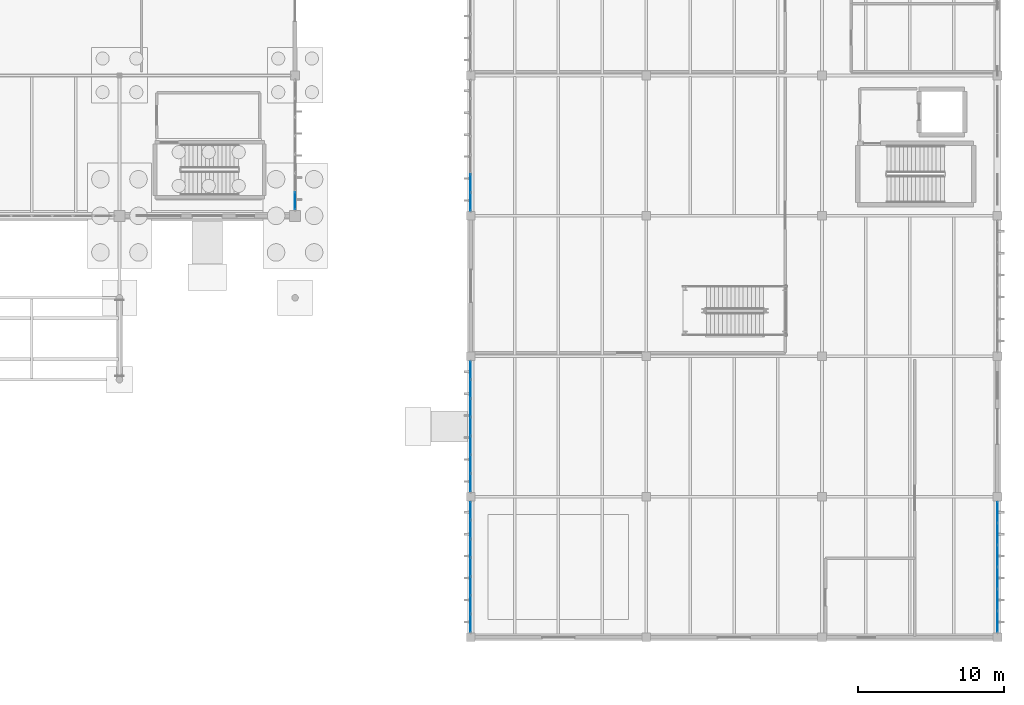
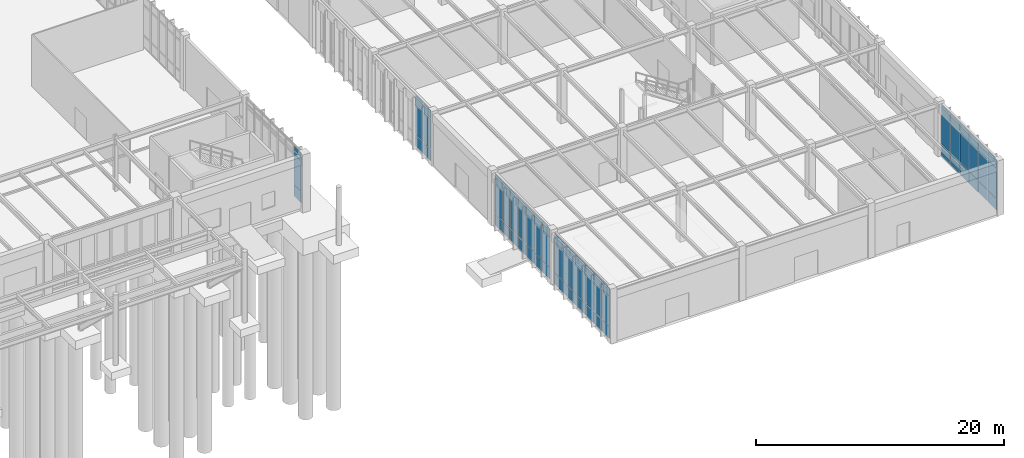
# One storey, part 140 of 188: 69 plates, 5 elements without a shape of their own.
"""IFC4 building model written with IfcOpenShell, lengths in metres."""

from ifc_helpers import new_model, si_unit, direction, frame, origin, origin_2d, place, context, subcontext, project, spatial, rectangle, extrude, material, layer, layer_set, type_object, element, aggregate, save


model = new_model("IFC4")

# Units and contexts
model_context = context("Model", 3, precision=1e-05, world=origin(), true_north=direction((0.0, 1.0)))
body_context = subcontext(model_context, "Body", "Model", "MODEL_VIEW")
ifc_project = project(units=[si_unit("LENGTHUNIT", "METRE"), si_unit("AREAUNIT", "SQUARE_METRE"), si_unit("VOLUMEUNIT", "CUBIC_METRE"), si_unit("PLANEANGLEUNIT", "RADIAN"), si_unit("MASSUNIT", "GRAM", prefix="KILO")], contexts=[model_context])

# Site, building, storey
site_placement = place(None, origin())
site = spatial("IfcSite", under=ifc_project, at=site_placement, CompositionType="ELEMENT")
building_placement = place(site_placement, origin())
building = spatial("IfcBuilding", under=site, at=building_placement, Name="Pandanus Reach Market Hall", CompositionType="ELEMENT")
storey_placement = place(building_placement, origin())
storey = spatial("IfcBuildingStorey", under=building, at=storey_placement, Name="L00", CompositionType="ELEMENT", Elevation=0.0)

# Curtain wall, plates
ifc_material_1 = material(Name="Bronze anodised aluminium and low-E glass", Category="aluminium")
ifc_layer_1 = layer(ifc_material_1, 0.159912109375, Name="CW-25")
ifc_layer_set_1 = layer_set([ifc_layer_1], Name="Bronze anodised aluminium and low-E glass")
curtain_wall_type_1 = type_object("IfcCurtainWallType", Name="CW-25", PredefinedType="NOTDEFINED", material=ifc_layer_set_1)
curtain_wall_1_placement = place(storey_placement, origin())
curtain_wall_1 = element("IfcCurtainWall", 1, at=curtain_wall_1_placement, inside=storey, type_object=curtain_wall_type_1, Name="Glazed curtain wall CW-25 CW-0070", PredefinedType="NOTDEFINED")
ifc_material_2 = material(Name="Solar-control double glazing", Category="glass")
ifc_layer_2 = layer(ifc_material_2, 0.028076171875, Name="CW-P1")
ifc_layer_set_2 = layer_set([ifc_layer_2], Name="Solar-control double glazing")
plate_type_1 = type_object("IfcPlateType", Name="CW-P1", PredefinedType="CURTAIN_PANEL", material=ifc_layer_set_2)
plate_1_placement = place(storey_placement, frame((180.0, 1.066162109375, 0.06494140625), z_axis=(0.0, 0.0, 1.0), x_axis=(0.0, 1.0, 0.0)))
plate_1 = element("IfcPlate", 2, at=plate_1_placement, type_object=plate_type_1, Name="CW-25 panel 1.1", PredefinedType="CURTAIN_PANEL", context=body_context, shape_type="SweptSolid", body=[
    extrude(rectangle(XDim=1.402587890625, YDim=0.028076171875, at=origin_2d()), origin(), (0.0, 0.0, 1.0), 1.1025390625),
])
plate_2_placement = place(storey_placement, frame((180.0, 1.066162109375, 1.232421875), z_axis=(0.0, 0.0, 1.0), x_axis=(0.0, 1.0, 0.0)))
plate_2 = element("IfcPlate", 3, at=plate_2_placement, type_object=plate_type_1, Name="CW-25 panel 1.2", PredefinedType="CURTAIN_PANEL", context=body_context, shape_type="SweptSolid", body=[
    extrude(rectangle(XDim=1.402587890625, YDim=0.028076171875, at=origin_2d()), origin(), (0.0, 0.0, 1.0), 2.93505859375),
])
plate_3_placement = place(storey_placement, frame((180.0, 1.066162109375, 4.232421875), z_axis=(0.0, 0.0, 1.0), x_axis=(0.0, 1.0, 0.0)))
plate_3 = element("IfcPlate", 4, at=plate_3_placement, type_object=plate_type_1, Name="CW-25 panel 1.3", PredefinedType="CURTAIN_PANEL", context=body_context, shape_type="SweptSolid", body=[
    extrude(rectangle(XDim=1.402587890625, YDim=0.028076171875, at=origin_2d()), origin(), (0.0, 0.0, 1.0), 0.802490234375),
])
plate_4_placement = place(storey_placement, frame((180.0, 2.550048828125, 0.06494140625), z_axis=(0.0, 0.0, 1.0), x_axis=(0.0, 1.0, 0.0)))
plate_4 = element("IfcPlate", 5, at=plate_4_placement, type_object=plate_type_1, Name="CW-25 panel 2.1", PredefinedType="CURTAIN_PANEL", context=body_context, shape_type="SweptSolid", body=[
    extrude(rectangle(XDim=1.43505859375, YDim=0.028076171875, at=origin_2d()), origin(), (0.0, 0.0, 1.0), 1.1025390625),
])
plate_5_placement = place(storey_placement, frame((180.0, 2.550048828125, 1.232421875), z_axis=(0.0, 0.0, 1.0), x_axis=(0.0, 1.0, 0.0)))
plate_5 = element("IfcPlate", 6, at=plate_5_placement, type_object=plate_type_1, Name="CW-25 panel 2.2", PredefinedType="CURTAIN_PANEL", context=body_context, shape_type="SweptSolid", body=[
    extrude(rectangle(XDim=1.43505859375, YDim=0.028076171875, at=origin_2d()), origin(), (0.0, 0.0, 1.0), 2.93505859375),
])
plate_6_placement = place(storey_placement, frame((180.0, 2.550048828125, 4.232421875), z_axis=(0.0, 0.0, 1.0), x_axis=(0.0, 1.0, 0.0)))
plate_6 = element("IfcPlate", 7, at=plate_6_placement, type_object=plate_type_1, Name="CW-25 panel 2.3", PredefinedType="CURTAIN_PANEL", context=body_context, shape_type="SweptSolid", body=[
    extrude(rectangle(XDim=1.43505859375, YDim=0.028076171875, at=origin_2d()), origin(), (0.0, 0.0, 1.0), 0.802490234375),
])
plate_7_placement = place(storey_placement, frame((180.0, 4.050048828125, 0.06494140625), z_axis=(0.0, 0.0, 1.0), x_axis=(0.0, 1.0, 0.0)))
plate_7 = element("IfcPlate", 8, at=plate_7_placement, type_object=plate_type_1, Name="CW-25 panel 3.1", PredefinedType="CURTAIN_PANEL", context=body_context, shape_type="SweptSolid", body=[
    extrude(rectangle(XDim=1.43505859375, YDim=0.028076171875, at=origin_2d()), origin(), (0.0, 0.0, 1.0), 1.1025390625),
])
plate_8_placement = place(storey_placement, frame((180.0, 4.050048828125, 1.232421875), z_axis=(0.0, 0.0, 1.0), x_axis=(0.0, 1.0, 0.0)))
plate_8 = element("IfcPlate", 9, at=plate_8_placement, type_object=plate_type_1, Name="CW-25 panel 3.2", PredefinedType="CURTAIN_PANEL", context=body_context, shape_type="SweptSolid", body=[
    extrude(rectangle(XDim=1.43505859375, YDim=0.028076171875, at=origin_2d()), origin(), (0.0, 0.0, 1.0), 2.93505859375),
])
plate_9_placement = place(storey_placement, frame((180.0, 4.050048828125, 4.232421875), z_axis=(0.0, 0.0, 1.0), x_axis=(0.0, 1.0, 0.0)))
plate_9 = element("IfcPlate", 10, at=plate_9_placement, type_object=plate_type_1, Name="CW-25 panel 3.3", PredefinedType="CURTAIN_PANEL", context=body_context, shape_type="SweptSolid", body=[
    extrude(rectangle(XDim=1.43505859375, YDim=0.028076171875, at=origin_2d()), origin(), (0.0, 0.0, 1.0), 0.802490234375),
])
plate_10_placement = place(storey_placement, frame((180.0, 5.550048828125, 0.06494140625), z_axis=(0.0, 0.0, 1.0), x_axis=(0.0, 1.0, 0.0)))
plate_10 = element("IfcPlate", 11, at=plate_10_placement, type_object=plate_type_1, Name="CW-25 panel 4.1", PredefinedType="CURTAIN_PANEL", context=body_context, shape_type="SweptSolid", body=[
    extrude(rectangle(XDim=1.43505859375, YDim=0.028076171875, at=origin_2d()), origin(), (0.0, 0.0, 1.0), 1.1025390625),
])
plate_11_placement = place(storey_placement, frame((180.0, 5.550048828125, 1.232421875), z_axis=(0.0, 0.0, 1.0), x_axis=(0.0, 1.0, 0.0)))
plate_11 = element("IfcPlate", 12, at=plate_11_placement, type_object=plate_type_1, Name="CW-25 panel 4.2", PredefinedType="CURTAIN_PANEL", context=body_context, shape_type="SweptSolid", body=[
    extrude(rectangle(XDim=1.43505859375, YDim=0.028076171875, at=origin_2d()), origin(), (0.0, 0.0, 1.0), 2.93505859375),
])
plate_12_placement = place(storey_placement, frame((180.0, 5.550048828125, 4.232421875), z_axis=(0.0, 0.0, 1.0), x_axis=(0.0, 1.0, 0.0)))
plate_12 = element("IfcPlate", 13, at=plate_12_placement, type_object=plate_type_1, Name="CW-25 panel 4.3", PredefinedType="CURTAIN_PANEL", context=body_context, shape_type="SweptSolid", body=[
    extrude(rectangle(XDim=1.43505859375, YDim=0.028076171875, at=origin_2d()), origin(), (0.0, 0.0, 1.0), 0.802490234375),
])
plate_13_placement = place(storey_placement, frame((180.0, 7.050048828125, 0.06494140625), z_axis=(0.0, 0.0, 1.0), x_axis=(0.0, 1.0, 0.0)))
plate_13 = element("IfcPlate", 14, at=plate_13_placement, type_object=plate_type_1, Name="CW-25 panel 5.1", PredefinedType="CURTAIN_PANEL", context=body_context, shape_type="SweptSolid", body=[
    extrude(rectangle(XDim=1.43505859375, YDim=0.028076171875, at=origin_2d()), origin(), (0.0, 0.0, 1.0), 1.1025390625),
])
plate_14_placement = place(storey_placement, frame((180.0, 7.050048828125, 1.232421875), z_axis=(0.0, 0.0, 1.0), x_axis=(0.0, 1.0, 0.0)))
plate_14 = element("IfcPlate", 15, at=plate_14_placement, type_object=plate_type_1, Name="CW-25 panel 5.2", PredefinedType="CURTAIN_PANEL", context=body_context, shape_type="SweptSolid", body=[
    extrude(rectangle(XDim=1.43505859375, YDim=0.028076171875, at=origin_2d()), origin(), (0.0, 0.0, 1.0), 2.93505859375),
])
plate_15_placement = place(storey_placement, frame((180.0, 7.050048828125, 4.232421875), z_axis=(0.0, 0.0, 1.0), x_axis=(0.0, 1.0, 0.0)))
plate_15 = element("IfcPlate", 16, at=plate_15_placement, type_object=plate_type_1, Name="CW-25 panel 5.3", PredefinedType="CURTAIN_PANEL", context=body_context, shape_type="SweptSolid", body=[
    extrude(rectangle(XDim=1.43505859375, YDim=0.028076171875, at=origin_2d()), origin(), (0.0, 0.0, 1.0), 0.802490234375),
])
plate_16_placement = place(storey_placement, frame((180.0, 8.53369140625, 0.06494140625), z_axis=(0.0, 0.0, 1.0), x_axis=(0.0, 1.0, 0.0)))
plate_16 = element("IfcPlate", 17, at=plate_16_placement, type_object=plate_type_1, Name="CW-25 panel 6.1", PredefinedType="CURTAIN_PANEL", context=body_context, shape_type="SweptSolid", body=[
    extrude(rectangle(XDim=1.402587890625, YDim=0.028076171875, at=origin_2d()), origin(), (0.0, 0.0, 1.0), 1.1025390625),
])
plate_17_placement = place(storey_placement, frame((180.0, 8.53369140625, 1.232421875), z_axis=(0.0, 0.0, 1.0), x_axis=(0.0, 1.0, 0.0)))
plate_17 = element("IfcPlate", 18, at=plate_17_placement, type_object=plate_type_1, Name="CW-25 panel 6.2", PredefinedType="CURTAIN_PANEL", context=body_context, shape_type="SweptSolid", body=[
    extrude(rectangle(XDim=1.402587890625, YDim=0.028076171875, at=origin_2d()), origin(), (0.0, 0.0, 1.0), 2.93505859375),
])
plate_18_placement = place(storey_placement, frame((180.0, 8.53369140625, 4.232421875), z_axis=(0.0, 0.0, 1.0), x_axis=(0.0, 1.0, 0.0)))
plate_18 = element("IfcPlate", 19, at=plate_18_placement, type_object=plate_type_1, Name="CW-25 panel 6.3", PredefinedType="CURTAIN_PANEL", context=body_context, shape_type="SweptSolid", body=[
    extrude(rectangle(XDim=1.402587890625, YDim=0.028076171875, at=origin_2d()), origin(), (0.0, 0.0, 1.0), 0.802490234375),
])
aggregate(curtain_wall_1, [plate_1, plate_2, plate_3, plate_4, plate_5, plate_6, plate_7, plate_8, plate_9, plate_10, plate_11, plate_12, plate_13, plate_14, plate_15, plate_16, plate_17, plate_18])

ifc_layer_3 = layer(ifc_material_1, 0.159912109375, Name="CW-26")
ifc_layer_set_3 = layer_set([ifc_layer_3], Name="Bronze anodised aluminium and low-E glass")
curtain_wall_type_2 = type_object("IfcCurtainWallType", Name="CW-26", PredefinedType="NOTDEFINED", material=ifc_layer_set_3)
curtain_wall_2_placement = place(storey_placement, origin())
curtain_wall_2 = element("IfcCurtainWall", 20, at=curtain_wall_2_placement, inside=storey, type_object=curtain_wall_type_2, Name="Glazed curtain wall CW-26 CW-0075", PredefinedType="NOTDEFINED")
plate_19_placement = place(storey_placement, frame((144.0, 0.959228515625, 0.06494140625), z_axis=(0.0, 0.0, 1.0), x_axis=(0.0, 1.0, 0.0)))
plate_19 = element("IfcPlate", 21, at=plate_19_placement, type_object=plate_type_1, Name="CW-26 panel 1.1", PredefinedType="CURTAIN_PANEL", context=body_context, shape_type="SweptSolid", body=[
    extrude(rectangle(XDim=1.188232421875, YDim=0.028076171875, at=origin_2d()), origin(), (0.0, 0.0, 1.0), 1.1025390625),
])
plate_20_placement = place(storey_placement, frame((144.0, 0.959228515625, 1.232421875), z_axis=(0.0, 0.0, 1.0), x_axis=(0.0, 1.0, 0.0)))
plate_20 = element("IfcPlate", 22, at=plate_20_placement, type_object=plate_type_1, Name="CW-26 panel 1.2", PredefinedType="CURTAIN_PANEL", context=body_context, shape_type="SweptSolid", body=[
    extrude(rectangle(XDim=1.188232421875, YDim=0.028076171875, at=origin_2d()), origin(), (0.0, 0.0, 1.0), 2.93505859375),
])
plate_21_placement = place(storey_placement, frame((144.0, 0.959228515625, 4.232421875), z_axis=(0.0, 0.0, 1.0), x_axis=(0.0, 1.0, 0.0)))
plate_21 = element("IfcPlate", 23, at=plate_21_placement, type_object=plate_type_1, Name="CW-26 panel 1.3", PredefinedType="CURTAIN_PANEL", context=body_context, shape_type="SweptSolid", body=[
    extrude(rectangle(XDim=1.188232421875, YDim=0.028076171875, at=origin_2d()), origin(), (0.0, 0.0, 1.0), 0.802490234375),
])
plate_22_placement = place(storey_placement, frame((144.0, 2.228515625, 0.06494140625), z_axis=(0.0, 0.0, 1.0), x_axis=(0.0, 1.0, 0.0)))
plate_22 = element("IfcPlate", 24, at=plate_22_placement, type_object=plate_type_1, Name="CW-26 panel 2.1", PredefinedType="CURTAIN_PANEL", context=body_context, shape_type="SweptSolid", body=[
    extrude(rectangle(XDim=1.220703125, YDim=0.028076171875, at=origin_2d()), origin(), (0.0, 0.0, 1.0), 1.1025390625),
])
plate_23_placement = place(storey_placement, frame((144.0, 2.228515625, 1.232421875), z_axis=(0.0, 0.0, 1.0), x_axis=(0.0, 1.0, 0.0)))
plate_23 = element("IfcPlate", 25, at=plate_23_placement, type_object=plate_type_1, Name="CW-26 panel 2.2", PredefinedType="CURTAIN_PANEL", context=body_context, shape_type="SweptSolid", body=[
    extrude(rectangle(XDim=1.220703125, YDim=0.028076171875, at=origin_2d()), origin(), (0.0, 0.0, 1.0), 2.93505859375),
])
plate_24_placement = place(storey_placement, frame((144.0, 2.228515625, 4.232421875), z_axis=(0.0, 0.0, 1.0), x_axis=(0.0, 1.0, 0.0)))
plate_24 = element("IfcPlate", 26, at=plate_24_placement, type_object=plate_type_1, Name="CW-26 panel 2.3", PredefinedType="CURTAIN_PANEL", context=body_context, shape_type="SweptSolid", body=[
    extrude(rectangle(XDim=1.220703125, YDim=0.028076171875, at=origin_2d()), origin(), (0.0, 0.0, 1.0), 0.802490234375),
])
plate_25_placement = place(storey_placement, frame((144.0, 3.514404296875, 0.06494140625), z_axis=(0.0, 0.0, 1.0), x_axis=(0.0, 1.0, 0.0)))
plate_25 = element("IfcPlate", 27, at=plate_25_placement, type_object=plate_type_1, Name="CW-26 panel 3.1", PredefinedType="CURTAIN_PANEL", context=body_context, shape_type="SweptSolid", body=[
    extrude(rectangle(XDim=1.220703125, YDim=0.028076171875, at=origin_2d()), origin(), (0.0, 0.0, 1.0), 1.1025390625),
])
plate_26_placement = place(storey_placement, frame((144.0, 3.514404296875, 1.232421875), z_axis=(0.0, 0.0, 1.0), x_axis=(0.0, 1.0, 0.0)))
plate_26 = element("IfcPlate", 28, at=plate_26_placement, type_object=plate_type_1, Name="CW-26 panel 3.2", PredefinedType="CURTAIN_PANEL", context=body_context, shape_type="SweptSolid", body=[
    extrude(rectangle(XDim=1.220703125, YDim=0.028076171875, at=origin_2d()), origin(), (0.0, 0.0, 1.0), 2.93505859375),
])
plate_27_placement = place(storey_placement, frame((144.0, 3.514404296875, 4.232421875), z_axis=(0.0, 0.0, 1.0), x_axis=(0.0, 1.0, 0.0)))
plate_27 = element("IfcPlate", 29, at=plate_27_placement, type_object=plate_type_1, Name="CW-26 panel 3.3", PredefinedType="CURTAIN_PANEL", context=body_context, shape_type="SweptSolid", body=[
    extrude(rectangle(XDim=1.220703125, YDim=0.028076171875, at=origin_2d()), origin(), (0.0, 0.0, 1.0), 0.802490234375),
])
plate_28_placement = place(storey_placement, frame((144.0, 4.800048828125, 0.06494140625), z_axis=(0.0, 0.0, 1.0), x_axis=(0.0, 1.0, 0.0)))
plate_28 = element("IfcPlate", 30, at=plate_28_placement, type_object=plate_type_1, Name="CW-26 panel 4.1", PredefinedType="CURTAIN_PANEL", context=body_context, shape_type="SweptSolid", body=[
    extrude(rectangle(XDim=1.220703125, YDim=0.028076171875, at=origin_2d()), origin(), (0.0, 0.0, 1.0), 1.1025390625),
])
plate_29_placement = place(storey_placement, frame((144.0, 4.800048828125, 1.232421875), z_axis=(0.0, 0.0, 1.0), x_axis=(0.0, 1.0, 0.0)))
plate_29 = element("IfcPlate", 31, at=plate_29_placement, type_object=plate_type_1, Name="CW-26 panel 4.2", PredefinedType="CURTAIN_PANEL", context=body_context, shape_type="SweptSolid", body=[
    extrude(rectangle(XDim=1.220703125, YDim=0.028076171875, at=origin_2d()), origin(), (0.0, 0.0, 1.0), 2.93505859375),
])
plate_30_placement = place(storey_placement, frame((144.0, 4.800048828125, 4.232421875), z_axis=(0.0, 0.0, 1.0), x_axis=(0.0, 1.0, 0.0)))
plate_30 = element("IfcPlate", 32, at=plate_30_placement, type_object=plate_type_1, Name="CW-26 panel 4.3", PredefinedType="CURTAIN_PANEL", context=body_context, shape_type="SweptSolid", body=[
    extrude(rectangle(XDim=1.220703125, YDim=0.028076171875, at=origin_2d()), origin(), (0.0, 0.0, 1.0), 0.802490234375),
])
plate_31_placement = place(storey_placement, frame((144.0, 6.085693359375, 0.06494140625), z_axis=(0.0, 0.0, 1.0), x_axis=(0.0, 1.0, 0.0)))
plate_31 = element("IfcPlate", 33, at=plate_31_placement, type_object=plate_type_1, Name="CW-26 panel 5.1", PredefinedType="CURTAIN_PANEL", context=body_context, shape_type="SweptSolid", body=[
    extrude(rectangle(XDim=1.220703125, YDim=0.028076171875, at=origin_2d()), origin(), (0.0, 0.0, 1.0), 1.1025390625),
])
plate_32_placement = place(storey_placement, frame((144.0, 6.085693359375, 1.232421875), z_axis=(0.0, 0.0, 1.0), x_axis=(0.0, 1.0, 0.0)))
plate_32 = element("IfcPlate", 34, at=plate_32_placement, type_object=plate_type_1, Name="CW-26 panel 5.2", PredefinedType="CURTAIN_PANEL", context=body_context, shape_type="SweptSolid", body=[
    extrude(rectangle(XDim=1.220703125, YDim=0.028076171875, at=origin_2d()), origin(), (0.0, 0.0, 1.0), 2.93505859375),
])
plate_33_placement = place(storey_placement, frame((144.0, 6.085693359375, 4.232421875), z_axis=(0.0, 0.0, 1.0), x_axis=(0.0, 1.0, 0.0)))
plate_33 = element("IfcPlate", 35, at=plate_33_placement, type_object=plate_type_1, Name="CW-26 panel 5.3", PredefinedType="CURTAIN_PANEL", context=body_context, shape_type="SweptSolid", body=[
    extrude(rectangle(XDim=1.220703125, YDim=0.028076171875, at=origin_2d()), origin(), (0.0, 0.0, 1.0), 0.802490234375),
])
plate_34_placement = place(storey_placement, frame((144.0, 7.371337890625, 0.06494140625), z_axis=(0.0, 0.0, 1.0), x_axis=(0.0, 1.0, 0.0)))
plate_34 = element("IfcPlate", 36, at=plate_34_placement, type_object=plate_type_1, Name="CW-26 panel 6.1", PredefinedType="CURTAIN_PANEL", context=body_context, shape_type="SweptSolid", body=[
    extrude(rectangle(XDim=1.220703125, YDim=0.028076171875, at=origin_2d()), origin(), (0.0, 0.0, 1.0), 1.1025390625),
])
plate_35_placement = place(storey_placement, frame((144.0, 7.371337890625, 1.232421875), z_axis=(0.0, 0.0, 1.0), x_axis=(0.0, 1.0, 0.0)))
plate_35 = element("IfcPlate", 37, at=plate_35_placement, type_object=plate_type_1, Name="CW-26 panel 6.2", PredefinedType="CURTAIN_PANEL", context=body_context, shape_type="SweptSolid", body=[
    extrude(rectangle(XDim=1.220703125, YDim=0.028076171875, at=origin_2d()), origin(), (0.0, 0.0, 1.0), 2.93505859375),
])
plate_36_placement = place(storey_placement, frame((144.0, 7.371337890625, 4.232421875), z_axis=(0.0, 0.0, 1.0), x_axis=(0.0, 1.0, 0.0)))
plate_36 = element("IfcPlate", 38, at=plate_36_placement, type_object=plate_type_1, Name="CW-26 panel 6.3", PredefinedType="CURTAIN_PANEL", context=body_context, shape_type="SweptSolid", body=[
    extrude(rectangle(XDim=1.220703125, YDim=0.028076171875, at=origin_2d()), origin(), (0.0, 0.0, 1.0), 0.802490234375),
])
plate_37_placement = place(storey_placement, frame((144.0, 8.640869140625, 0.06494140625), z_axis=(0.0, 0.0, 1.0), x_axis=(0.0, 1.0, 0.0)))
plate_37 = element("IfcPlate", 39, at=plate_37_placement, type_object=plate_type_1, Name="CW-26 panel 7.1", PredefinedType="CURTAIN_PANEL", context=body_context, shape_type="SweptSolid", body=[
    extrude(rectangle(XDim=1.188232421875, YDim=0.028076171875, at=origin_2d()), origin(), (0.0, 0.0, 1.0), 1.1025390625),
])
plate_38_placement = place(storey_placement, frame((144.0, 8.640869140625, 1.232421875), z_axis=(0.0, 0.0, 1.0), x_axis=(0.0, 1.0, 0.0)))
plate_38 = element("IfcPlate", 40, at=plate_38_placement, type_object=plate_type_1, Name="CW-26 panel 7.2", PredefinedType="CURTAIN_PANEL", context=body_context, shape_type="SweptSolid", body=[
    extrude(rectangle(XDim=1.188232421875, YDim=0.028076171875, at=origin_2d()), origin(), (0.0, 0.0, 1.0), 2.93505859375),
])
plate_39_placement = place(storey_placement, frame((144.0, 8.640869140625, 4.232421875), z_axis=(0.0, 0.0, 1.0), x_axis=(0.0, 1.0, 0.0)))
plate_39 = element("IfcPlate", 41, at=plate_39_placement, type_object=plate_type_1, Name="CW-26 panel 7.3", PredefinedType="CURTAIN_PANEL", context=body_context, shape_type="SweptSolid", body=[
    extrude(rectangle(XDim=1.188232421875, YDim=0.028076171875, at=origin_2d()), origin(), (0.0, 0.0, 1.0), 0.802490234375),
])
aggregate(curtain_wall_2, [plate_19, plate_20, plate_21, plate_22, plate_23, plate_24, plate_25, plate_26, plate_27, plate_28, plate_29, plate_30, plate_31, plate_32, plate_33, plate_34, plate_35, plate_36, plate_37, plate_38, plate_39])

curtain_wall_3_placement = place(storey_placement, origin())
curtain_wall_3 = element("IfcCurtainWall", 42, at=curtain_wall_3_placement, inside=storey, type_object=curtain_wall_type_2, Name="Glazed curtain wall CW-26 CW-0076", PredefinedType="NOTDEFINED")
plate_40_placement = place(storey_placement, frame((144.0, 10.55908203125, 0.06494140625), z_axis=(0.0, 0.0, 1.0), x_axis=(0.0, 1.0, 0.0)))
plate_40 = element("IfcPlate", 43, at=plate_40_placement, type_object=plate_type_1, Name="CW-26 panel 1.1", PredefinedType="CURTAIN_PANEL", context=body_context, shape_type="SweptSolid", body=[
    extrude(rectangle(XDim=1.188232421875, YDim=0.028076171875, at=origin_2d()), origin(), (0.0, 0.0, 1.0), 1.1025390625),
])
plate_41_placement = place(storey_placement, frame((144.0, 10.55908203125, 1.232421875), z_axis=(0.0, 0.0, 1.0), x_axis=(0.0, 1.0, 0.0)))
plate_41 = element("IfcPlate", 44, at=plate_41_placement, type_object=plate_type_1, Name="CW-26 panel 1.2", PredefinedType="CURTAIN_PANEL", context=body_context, shape_type="SweptSolid", body=[
    extrude(rectangle(XDim=1.188232421875, YDim=0.028076171875, at=origin_2d()), origin(), (0.0, 0.0, 1.0), 2.93505859375),
])
plate_42_placement = place(storey_placement, frame((144.0, 10.55908203125, 4.232421875), z_axis=(0.0, 0.0, 1.0), x_axis=(0.0, 1.0, 0.0)))
plate_42 = element("IfcPlate", 45, at=plate_42_placement, type_object=plate_type_1, Name="CW-26 panel 1.3", PredefinedType="CURTAIN_PANEL", context=body_context, shape_type="SweptSolid", body=[
    extrude(rectangle(XDim=1.188232421875, YDim=0.028076171875, at=origin_2d()), origin(), (0.0, 0.0, 1.0), 0.802490234375),
])
plate_43_placement = place(storey_placement, frame((144.0, 11.82861328125, 0.06494140625), z_axis=(0.0, 0.0, 1.0), x_axis=(0.0, 1.0, 0.0)))
plate_43 = element("IfcPlate", 46, at=plate_43_placement, type_object=plate_type_1, Name="CW-26 panel 2.1", PredefinedType="CURTAIN_PANEL", context=body_context, shape_type="SweptSolid", body=[
    extrude(rectangle(XDim=1.220703125, YDim=0.028076171875, at=origin_2d()), origin(), (0.0, 0.0, 1.0), 1.1025390625),
])
plate_44_placement = place(storey_placement, frame((144.0, 11.82861328125, 1.232421875), z_axis=(0.0, 0.0, 1.0), x_axis=(0.0, 1.0, 0.0)))
plate_44 = element("IfcPlate", 47, at=plate_44_placement, type_object=plate_type_1, Name="CW-26 panel 2.2", PredefinedType="CURTAIN_PANEL", context=body_context, shape_type="SweptSolid", body=[
    extrude(rectangle(XDim=1.220703125, YDim=0.028076171875, at=origin_2d()), origin(), (0.0, 0.0, 1.0), 2.93505859375),
])
plate_45_placement = place(storey_placement, frame((144.0, 11.82861328125, 4.232421875), z_axis=(0.0, 0.0, 1.0), x_axis=(0.0, 1.0, 0.0)))
plate_45 = element("IfcPlate", 48, at=plate_45_placement, type_object=plate_type_1, Name="CW-26 panel 2.3", PredefinedType="CURTAIN_PANEL", context=body_context, shape_type="SweptSolid", body=[
    extrude(rectangle(XDim=1.220703125, YDim=0.028076171875, at=origin_2d()), origin(), (0.0, 0.0, 1.0), 0.802490234375),
])
plate_46_placement = place(storey_placement, frame((144.0, 13.1142578125, 0.06494140625), z_axis=(0.0, 0.0, 1.0), x_axis=(0.0, 1.0, 0.0)))
plate_46 = element("IfcPlate", 49, at=plate_46_placement, type_object=plate_type_1, Name="CW-26 panel 3.1", PredefinedType="CURTAIN_PANEL", context=body_context, shape_type="SweptSolid", body=[
    extrude(rectangle(XDim=1.220703125, YDim=0.028076171875, at=origin_2d()), origin(), (0.0, 0.0, 1.0), 1.1025390625),
])
plate_47_placement = place(storey_placement, frame((144.0, 13.1142578125, 1.232421875), z_axis=(0.0, 0.0, 1.0), x_axis=(0.0, 1.0, 0.0)))
plate_47 = element("IfcPlate", 50, at=plate_47_placement, type_object=plate_type_1, Name="CW-26 panel 3.2", PredefinedType="CURTAIN_PANEL", context=body_context, shape_type="SweptSolid", body=[
    extrude(rectangle(XDim=1.220703125, YDim=0.028076171875, at=origin_2d()), origin(), (0.0, 0.0, 1.0), 2.93505859375),
])
plate_48_placement = place(storey_placement, frame((144.0, 13.1142578125, 4.232421875), z_axis=(0.0, 0.0, 1.0), x_axis=(0.0, 1.0, 0.0)))
plate_48 = element("IfcPlate", 51, at=plate_48_placement, type_object=plate_type_1, Name="CW-26 panel 3.3", PredefinedType="CURTAIN_PANEL", context=body_context, shape_type="SweptSolid", body=[
    extrude(rectangle(XDim=1.220703125, YDim=0.028076171875, at=origin_2d()), origin(), (0.0, 0.0, 1.0), 0.802490234375),
])
plate_49_placement = place(storey_placement, frame((144.0, 14.39990234375, 0.06494140625), z_axis=(0.0, 0.0, 1.0), x_axis=(0.0, 1.0, 0.0)))
plate_49 = element("IfcPlate", 52, at=plate_49_placement, type_object=plate_type_1, Name="CW-26 panel 4.1", PredefinedType="CURTAIN_PANEL", context=body_context, shape_type="SweptSolid", body=[
    extrude(rectangle(XDim=1.220703125, YDim=0.028076171875, at=origin_2d()), origin(), (0.0, 0.0, 1.0), 1.1025390625),
])
plate_50_placement = place(storey_placement, frame((144.0, 14.39990234375, 1.232421875), z_axis=(0.0, 0.0, 1.0), x_axis=(0.0, 1.0, 0.0)))
plate_50 = element("IfcPlate", 53, at=plate_50_placement, type_object=plate_type_1, Name="CW-26 panel 4.2", PredefinedType="CURTAIN_PANEL", context=body_context, shape_type="SweptSolid", body=[
    extrude(rectangle(XDim=1.220703125, YDim=0.028076171875, at=origin_2d()), origin(), (0.0, 0.0, 1.0), 2.93505859375),
])
plate_51_placement = place(storey_placement, frame((144.0, 14.39990234375, 4.232421875), z_axis=(0.0, 0.0, 1.0), x_axis=(0.0, 1.0, 0.0)))
plate_51 = element("IfcPlate", 54, at=plate_51_placement, type_object=plate_type_1, Name="CW-26 panel 4.3", PredefinedType="CURTAIN_PANEL", context=body_context, shape_type="SweptSolid", body=[
    extrude(rectangle(XDim=1.220703125, YDim=0.028076171875, at=origin_2d()), origin(), (0.0, 0.0, 1.0), 0.802490234375),
])
plate_52_placement = place(storey_placement, frame((144.0, 15.685791015625, 0.06494140625), z_axis=(0.0, 0.0, 1.0), x_axis=(0.0, 1.0, 0.0)))
plate_52 = element("IfcPlate", 55, at=plate_52_placement, type_object=plate_type_1, Name="CW-26 panel 5.1", PredefinedType="CURTAIN_PANEL", context=body_context, shape_type="SweptSolid", body=[
    extrude(rectangle(XDim=1.220703125, YDim=0.028076171875, at=origin_2d()), origin(), (0.0, 0.0, 1.0), 1.1025390625),
])
plate_53_placement = place(storey_placement, frame((144.0, 15.685791015625, 1.232421875), z_axis=(0.0, 0.0, 1.0), x_axis=(0.0, 1.0, 0.0)))
plate_53 = element("IfcPlate", 56, at=plate_53_placement, type_object=plate_type_1, Name="CW-26 panel 5.2", PredefinedType="CURTAIN_PANEL", context=body_context, shape_type="SweptSolid", body=[
    extrude(rectangle(XDim=1.220703125, YDim=0.028076171875, at=origin_2d()), origin(), (0.0, 0.0, 1.0), 2.93505859375),
])
plate_54_placement = place(storey_placement, frame((144.0, 15.685791015625, 4.232421875), z_axis=(0.0, 0.0, 1.0), x_axis=(0.0, 1.0, 0.0)))
plate_54 = element("IfcPlate", 57, at=plate_54_placement, type_object=plate_type_1, Name="CW-26 panel 5.3", PredefinedType="CURTAIN_PANEL", context=body_context, shape_type="SweptSolid", body=[
    extrude(rectangle(XDim=1.220703125, YDim=0.028076171875, at=origin_2d()), origin(), (0.0, 0.0, 1.0), 0.802490234375),
])
plate_55_placement = place(storey_placement, frame((144.0, 16.971435546875, 0.06494140625), z_axis=(0.0, 0.0, 1.0), x_axis=(0.0, 1.0, 0.0)))
plate_55 = element("IfcPlate", 58, at=plate_55_placement, type_object=plate_type_1, Name="CW-26 panel 6.1", PredefinedType="CURTAIN_PANEL", context=body_context, shape_type="SweptSolid", body=[
    extrude(rectangle(XDim=1.220703125, YDim=0.028076171875, at=origin_2d()), origin(), (0.0, 0.0, 1.0), 1.1025390625),
])
plate_56_placement = place(storey_placement, frame((144.0, 16.971435546875, 1.232421875), z_axis=(0.0, 0.0, 1.0), x_axis=(0.0, 1.0, 0.0)))
plate_56 = element("IfcPlate", 59, at=plate_56_placement, type_object=plate_type_1, Name="CW-26 panel 6.2", PredefinedType="CURTAIN_PANEL", context=body_context, shape_type="SweptSolid", body=[
    extrude(rectangle(XDim=1.220703125, YDim=0.028076171875, at=origin_2d()), origin(), (0.0, 0.0, 1.0), 2.93505859375),
])
plate_57_placement = place(storey_placement, frame((144.0, 16.971435546875, 4.232421875), z_axis=(0.0, 0.0, 1.0), x_axis=(0.0, 1.0, 0.0)))
plate_57 = element("IfcPlate", 60, at=plate_57_placement, type_object=plate_type_1, Name="CW-26 panel 6.3", PredefinedType="CURTAIN_PANEL", context=body_context, shape_type="SweptSolid", body=[
    extrude(rectangle(XDim=1.220703125, YDim=0.028076171875, at=origin_2d()), origin(), (0.0, 0.0, 1.0), 0.802490234375),
])
plate_58_placement = place(storey_placement, frame((144.0, 18.240966796875, 0.06494140625), z_axis=(0.0, 0.0, 1.0), x_axis=(0.0, 1.0, 0.0)))
plate_58 = element("IfcPlate", 61, at=plate_58_placement, type_object=plate_type_1, Name="CW-26 panel 7.1", PredefinedType="CURTAIN_PANEL", context=body_context, shape_type="SweptSolid", body=[
    extrude(rectangle(XDim=1.188232421875, YDim=0.028076171875, at=origin_2d()), origin(), (0.0, 0.0, 1.0), 1.1025390625),
])
plate_59_placement = place(storey_placement, frame((144.0, 18.240966796875, 1.232421875), z_axis=(0.0, 0.0, 1.0), x_axis=(0.0, 1.0, 0.0)))
plate_59 = element("IfcPlate", 62, at=plate_59_placement, type_object=plate_type_1, Name="CW-26 panel 7.2", PredefinedType="CURTAIN_PANEL", context=body_context, shape_type="SweptSolid", body=[
    extrude(rectangle(XDim=1.188232421875, YDim=0.028076171875, at=origin_2d()), origin(), (0.0, 0.0, 1.0), 2.93505859375),
])
plate_60_placement = place(storey_placement, frame((144.0, 18.240966796875, 4.232421875), z_axis=(0.0, 0.0, 1.0), x_axis=(0.0, 1.0, 0.0)))
plate_60 = element("IfcPlate", 63, at=plate_60_placement, type_object=plate_type_1, Name="CW-26 panel 7.3", PredefinedType="CURTAIN_PANEL", context=body_context, shape_type="SweptSolid", body=[
    extrude(rectangle(XDim=1.188232421875, YDim=0.028076171875, at=origin_2d()), origin(), (0.0, 0.0, 1.0), 0.802490234375),
])
aggregate(curtain_wall_3, [plate_40, plate_41, plate_42, plate_43, plate_44, plate_45, plate_46, plate_47, plate_48, plate_49, plate_50, plate_51, plate_52, plate_53, plate_54, plate_55, plate_56, plate_57, plate_58, plate_59, plate_60])

curtain_wall_4_placement = place(storey_placement, origin())
curtain_wall_4 = element("IfcCurtainWall", 64, at=curtain_wall_4_placement, inside=storey, type_object=curtain_wall_type_2, Name="Glazed curtain wall CW-26 CW-0077", PredefinedType="NOTDEFINED")
plate_61_placement = place(storey_placement, frame((144.0, 29.759033203125, 0.06494140625), z_axis=(0.0, 0.0, 1.0), x_axis=(0.0, 1.0, 0.0)))
plate_61 = element("IfcPlate", 65, at=plate_61_placement, type_object=plate_type_1, Name="CW-26 panel 1.1", PredefinedType="CURTAIN_PANEL", context=body_context, shape_type="SweptSolid", body=[
    extrude(rectangle(XDim=1.188232421875, YDim=0.028076171875, at=origin_2d()), origin(), (0.0, 0.0, 1.0), 1.1025390625),
])
plate_62_placement = place(storey_placement, frame((144.0, 29.759033203125, 1.232421875), z_axis=(0.0, 0.0, 1.0), x_axis=(0.0, 1.0, 0.0)))
plate_62 = element("IfcPlate", 66, at=plate_62_placement, type_object=plate_type_1, Name="CW-26 panel 1.2", PredefinedType="CURTAIN_PANEL", context=body_context, shape_type="SweptSolid", body=[
    extrude(rectangle(XDim=1.188232421875, YDim=0.028076171875, at=origin_2d()), origin(), (0.0, 0.0, 1.0), 2.93505859375),
])
plate_63_placement = place(storey_placement, frame((144.0, 29.759033203125, 4.232421875), z_axis=(0.0, 0.0, 1.0), x_axis=(0.0, 1.0, 0.0)))
plate_63 = element("IfcPlate", 67, at=plate_63_placement, type_object=plate_type_1, Name="CW-26 panel 1.3", PredefinedType="CURTAIN_PANEL", context=body_context, shape_type="SweptSolid", body=[
    extrude(rectangle(XDim=1.188232421875, YDim=0.028076171875, at=origin_2d()), origin(), (0.0, 0.0, 1.0), 0.802490234375),
])
plate_64_placement = place(storey_placement, frame((144.0, 31.028564453125, 0.06494140625), z_axis=(0.0, 0.0, 1.0), x_axis=(0.0, 1.0, 0.0)))
plate_64 = element("IfcPlate", 68, at=plate_64_placement, type_object=plate_type_1, Name="CW-26 panel 2.1", PredefinedType="CURTAIN_PANEL", context=body_context, shape_type="SweptSolid", body=[
    extrude(rectangle(XDim=1.220703125, YDim=0.028076171875, at=origin_2d()), origin(), (0.0, 0.0, 1.0), 1.1025390625),
])
plate_65_placement = place(storey_placement, frame((144.0, 31.028564453125, 1.232421875), z_axis=(0.0, 0.0, 1.0), x_axis=(0.0, 1.0, 0.0)))
plate_65 = element("IfcPlate", 69, at=plate_65_placement, type_object=plate_type_1, Name="CW-26 panel 2.2", PredefinedType="CURTAIN_PANEL", context=body_context, shape_type="SweptSolid", body=[
    extrude(rectangle(XDim=1.220703125, YDim=0.028076171875, at=origin_2d()), origin(), (0.0, 0.0, 1.0), 2.93505859375),
])
plate_66_placement = place(storey_placement, frame((144.0, 31.028564453125, 4.232421875), z_axis=(0.0, 0.0, 1.0), x_axis=(0.0, 1.0, 0.0)))
plate_66 = element("IfcPlate", 70, at=plate_66_placement, type_object=plate_type_1, Name="CW-26 panel 2.3", PredefinedType="CURTAIN_PANEL", context=body_context, shape_type="SweptSolid", body=[
    extrude(rectangle(XDim=1.220703125, YDim=0.028076171875, at=origin_2d()), origin(), (0.0, 0.0, 1.0), 0.802490234375),
])
aggregate(curtain_wall_4, [plate_61, plate_62, plate_63, plate_64, plate_65, plate_66])

ifc_layer_4 = layer(ifc_material_1, 0.199951171875, Name="CW-03")
ifc_layer_set_4 = layer_set([ifc_layer_4], Name="Bronze anodised aluminium and low-E glass")
curtain_wall_type_3 = type_object("IfcCurtainWallType", Name="CW-03", PredefinedType="NOTDEFINED", material=ifc_layer_set_4)
curtain_wall_5_placement = place(storey_placement, origin())
curtain_wall_5 = element("IfcCurtainWall", 71, at=curtain_wall_5_placement, inside=storey, type_object=curtain_wall_type_3, Name="Glazed curtain wall CW-03 CW-0020", PredefinedType="NOTDEFINED")
ifc_material_3 = material(Name="Acoustic laminated solar double glazing", Category="glass")
ifc_layer_5 = layer(ifc_material_3, 0.031982421875, Name="CW-P2")
ifc_layer_set_5 = layer_set([ifc_layer_5], Name="Acoustic laminated solar double glazing")
plate_type_2 = type_object("IfcPlateType", Name="CW-P2", PredefinedType="CURTAIN_PANEL", material=ifc_layer_set_5)
plate_67_placement = place(storey_placement, frame((132.0, 29.831298828125, 0.074951171875), z_axis=(0.0, 0.0, 1.0), x_axis=(0.0, 1.0, 0.0)))
plate_67 = element("IfcPlate", 72, at=plate_67_placement, type_object=plate_type_2, Name="CW-03 panel 1.1", PredefinedType="CURTAIN_PANEL", context=body_context, shape_type="SweptSolid", body=[
    extrude(rectangle(XDim=1.16259765625, YDim=0.031982421875, at=origin_2d()), origin(), (0.0, 0.0, 1.0), 1.08740234375),
])
plate_68_placement = place(storey_placement, frame((132.0, 29.831298828125, 1.2373046875), z_axis=(0.0, 0.0, 1.0), x_axis=(0.0, 1.0, 0.0)))
plate_68 = element("IfcPlate", 73, at=plate_68_placement, type_object=plate_type_2, Name="CW-03 panel 1.2", PredefinedType="CURTAIN_PANEL", context=body_context, shape_type="SweptSolid", body=[
    extrude(rectangle(XDim=1.16259765625, YDim=0.031982421875, at=origin_2d()), origin(), (0.0, 0.0, 1.0), 2.925048828125),
])
plate_69_placement = place(storey_placement, frame((132.0, 29.831298828125, 4.237548828125), z_axis=(0.0, 0.0, 1.0), x_axis=(0.0, 1.0, 0.0)))
plate_69 = element("IfcPlate", 74, at=plate_69_placement, type_object=plate_type_2, Name="CW-03 panel 1.3", PredefinedType="CURTAIN_PANEL", context=body_context, shape_type="SweptSolid", body=[
    extrude(rectangle(XDim=1.16259765625, YDim=0.031982421875, at=origin_2d()), origin(), (0.0, 0.0, 1.0), 0.78759765625),
])
aggregate(curtain_wall_5, [plate_67, plate_68, plate_69])

save(model, "model.ifc")
